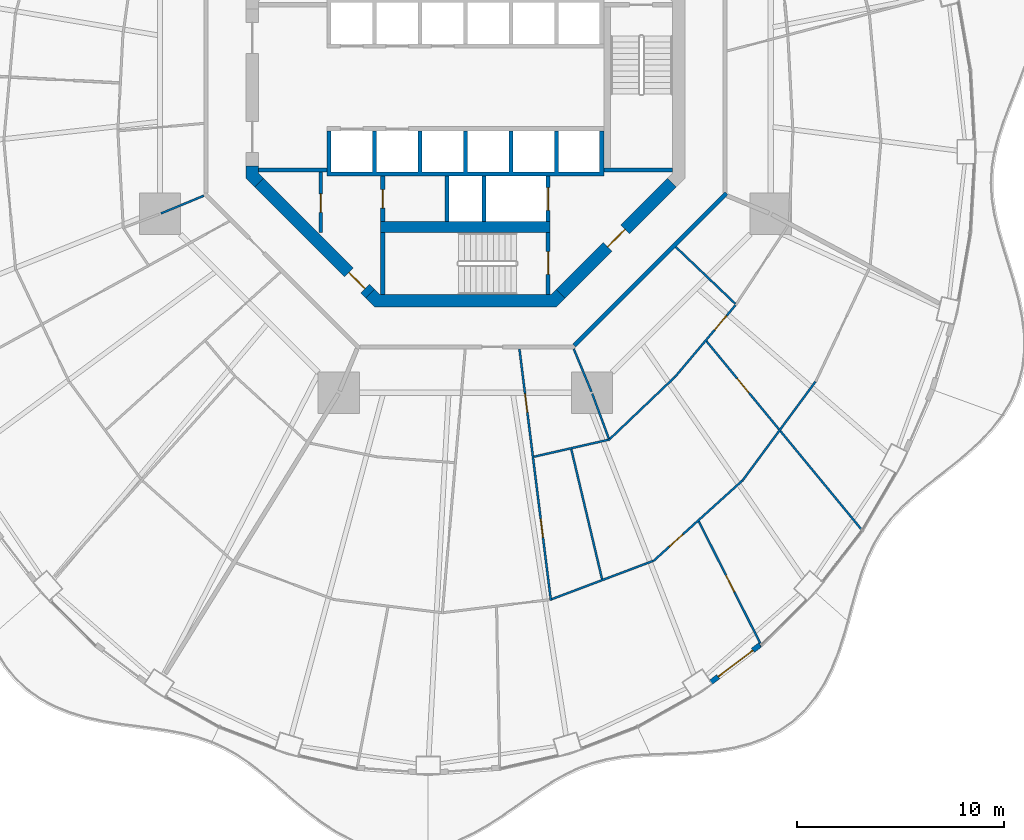
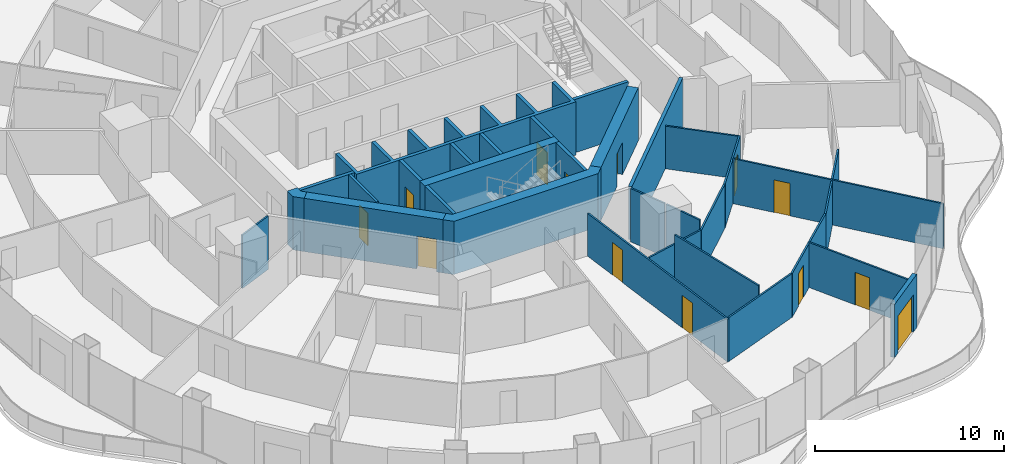
# One storey, part 14 of 21: 31 walls, 13 doors, 13 openings.
"""IFC4 building model written with IfcOpenShell, lengths in metres."""

from ifc_helpers import new_model, si_unit, direction, frame, frame_2d, origin, place, context, subcontext, project, spatial, polyline, rectangle, outline, extrude, material, layer, layer_set, type_object, element, fill, save


model = new_model("IFC4")

# Units and contexts
model_context = context("Model", 3, precision=1e-05, world=origin(), true_north=direction((0.0, 1.0)))
body_context = subcontext(model_context, "Body", "Model", "MODEL_VIEW")
ifc_project = project(units=[si_unit("LENGTHUNIT", "METRE"), si_unit("AREAUNIT", "SQUARE_METRE"), si_unit("VOLUMEUNIT", "CUBIC_METRE"), si_unit("PLANEANGLEUNIT", "RADIAN"), si_unit("MASSUNIT", "GRAM", prefix="KILO")], contexts=[model_context])

# Site, building, storey
site_placement = place(None, origin())
site = spatial("IfcSite", under=ifc_project, at=site_placement, CompositionType="ELEMENT")
building_placement = place(site_placement, origin())
building = spatial("IfcBuilding", under=site, at=building_placement, Name="Nagisa Residences", CompositionType="ELEMENT")
storey_placement = place(building_placement, frame((0.0, 0.0, 138.10009765625)))
storey = spatial("IfcBuildingStorey", under=building, at=storey_placement, Name="L34", CompositionType="ELEMENT", Elevation=138.10009765625)

# Walls
ifc_material_1 = material(Name="Gypsum board on steel studs", Category="steel")
ifc_layer_1 = layer(ifc_material_1, 0.199951171875)
ifc_layer_set_1 = layer_set([ifc_layer_1], Name="Apartment entry wall EI60 200")
wall_type_1 = type_object("IfcWallType", Name="Apartment entry wall EI60 200", PredefinedType="PARTITIONING", material=ifc_layer_set_1)
wall_1_placement = place(storey_placement, frame((5.275146484375, -12.494140625, 0.0), z_axis=(0.0, 0.0, 1.0), x_axis=(0.707106781187, 0.707106781187, 0.0)))
element("IfcWall", 1, at=wall_1_placement, inside=storey, type_object=wall_type_1, Name="wall:L34:u15", PredefinedType="PARTITIONING", context=body_context, shape_type="SweptSolid", body=[
    extrude(rectangle(XDim=10.4091796875, YDim=0.199951171875, at=frame_2d((5.20458984375, 0.0))), origin(), (0.0, 0.0, 1.0), 3.43994140625),
])
ifc_material_2 = material(Name="Gypsum board on steel studs", Category="steel")
ifc_layer_2 = layer(ifc_material_2, 0.10009765625)
ifc_layer_set_2 = layer_set([ifc_layer_2], Name="Apartment partition 100")
wall_type_2 = type_object("IfcWallType", Name="Apartment partition 100", PredefinedType="PARTITIONING", material=ifc_layer_set_2)
wall_2_placement = place(storey_placement, frame((-12.6572265625, -5.24267578125, 0.0), z_axis=(0.0, 0.0, 1.0), x_axis=(-0.923864733477, -0.382719158442, 0.0)))
element("IfcWall", 2, at=wall_2_placement, inside=storey, type_object=wall_type_2, Name="wall:L34:u58", PredefinedType="PARTITIONING", context=body_context, shape_type="SweptSolid", body=[
    extrude(rectangle(XDim=2.25, YDim=0.10009765625, at=frame_2d((1.125, 0.0))), origin(), (0.0, 0.0, 1.0), 3.43994140625),
])

# Wall, openings, doors
wall_3_placement = place(storey_placement, frame((2.61474609375, -12.6640625, 0.0), z_axis=(0.0, 0.0, 1.0), x_axis=(0.124051875784, -0.992275733914, 0.0)))
wall_3 = element("IfcWall", 3, at=wall_3_placement, inside=storey, type_object=wall_type_2, Name="wall:L34:u77", PredefinedType="PARTITIONING", context=body_context, shape_type="SweptSolid", body=[
    extrude(rectangle(XDim=12.270751953125, YDim=0.10009765625, at=frame_2d((6.13525390625, 0.0))), origin(), (0.0, 0.0, 1.0), 2.755859375),
])
opening_1_placement = place(wall_3_placement, frame((2.182861328125, 0.0, 0.0)))
opening_1 = element("IfcOpeningElement", 4, at=opening_1_placement, cuts=wall_3, Name="Opening L34-U16", PredefinedType="OPENING", context=body_context, shape_type="SweptSolid", body=[
    extrude(rectangle(XDim=0.89990234375, YDim=2.10009765625, at=frame_2d((0.449951171875, 1.050048828125))), frame((0.0, 0.06005859375, 0.0), z_axis=(0.0, -1.0, 0.0), x_axis=(1.0, 0.0, 0.0)), (0.0, 0.0, 1.0), 0.1201171875),
])
opening_2_placement = place(wall_3_placement, frame((8.293212890625, 0.0, 0.0)))
opening_2 = element("IfcOpeningElement", 5, at=opening_2_placement, cuts=wall_3, Name="Opening L34-U18", PredefinedType="OPENING", context=body_context, shape_type="SweptSolid", body=[
    extrude(rectangle(XDim=0.89990234375, YDim=2.10009765625, at=frame_2d((0.449951171875, 1.050048828125))), frame((0.0, 0.06005859375, 0.0), z_axis=(0.0, -1.0, 0.0), x_axis=(1.0, 0.0, 0.0)), (0.0, 0.0, 1.0), 0.1201171875),
])
ifc_material_3 = material(Name="Timber door set", Category="wood")
door_type_1 = type_object("IfcDoorType", Name="Apartment door 900x2100", OperationType="NOTDEFINED", PredefinedType="DOOR", material=ifc_material_3)
door_1_placement = place(opening_1_placement, origin())
door_1 = element("IfcDoor", 6, at=door_1_placement, inside=storey, type_object=door_type_1, Name="Door to family bathroom, Apartment 34B", OperationType="SINGLE_SWING_RIGHT", OverallHeight=2.10009765625, OverallWidth=0.89990234375, PredefinedType="DOOR", context=body_context, shape_type="SweptSolid", body=[
    extrude(rectangle(XDim=0.89990234375, YDim=2.10009765625, at=frame_2d((0.449951171875, 1.050048828125))), frame((0.0, 0.02490234375, 0.0), z_axis=(0.0, -1.0, 0.0), x_axis=(1.0, 0.0, 0.0)), (0.0, 0.0, 1.0), 0.050048828125),
])
fill(opening_1, door_1)
door_2_placement = place(opening_2_placement, origin())
door_2 = element("IfcDoor", 7, at=door_2_placement, inside=storey, type_object=door_type_1, Name="Door to family bathroom, Apartment 34B", OperationType="SINGLE_SWING_RIGHT", OverallHeight=2.10009765625, OverallWidth=0.89990234375, PredefinedType="DOOR", context=body_context, shape_type="SweptSolid", body=[
    extrude(rectangle(XDim=0.89990234375, YDim=2.10009765625, at=frame_2d((0.449951171875, 1.050048828125))), frame((0.0, 0.02490234375, 0.0), z_axis=(0.0, -1.0, 0.0), x_axis=(1.0, 0.0, 0.0)), (0.0, 0.0, 1.0), 0.050048828125),
])
fill(opening_2, door_2)

# Walls
wall_4_placement = place(storey_placement, frame((3.316650390625, -17.8779296875, 0.0), z_axis=(0.0, 0.0, 1.0), x_axis=(0.975099660451, 0.221767112505, 0.0)))
element("IfcWall", 8, at=wall_4_placement, inside=storey, type_object=wall_type_2, Name="wall:L34:u78", PredefinedType="PARTITIONING", context=body_context, shape_type="SweptSolid", body=[
    extrude(rectangle(XDim=3.685791015625, YDim=0.10009765625, at=frame_2d((1.8427734375, 0.0))), origin(), (0.0, 0.0, 1.0), 2.827880859375),
])
wall_5_placement = place(storey_placement, frame((4.177734375, -24.77294921875, 0.0), z_axis=(0.0, 0.0, 1.0), x_axis=(0.935585145124, 0.353101169955, 0.0)))
element("IfcWall", 9, at=wall_5_placement, inside=storey, type_object=wall_type_2, Name="wall:L34:u79", PredefinedType="PARTITIONING", context=body_context, shape_type="SweptSolid", body=[
    extrude(rectangle(XDim=5.2333984375, YDim=0.10009765625, at=frame_2d((2.61669921875, 0.0))), origin(), (0.0, 0.0, 1.0), 2.827880859375),
])
wall_6_placement = place(storey_placement, frame((5.125244140625, -17.517822265625, 0.0), z_axis=(0.0, 0.0, 1.0), x_axis=(0.230621848401, -0.973043453829, 0.0)))
element("IfcWall", 10, at=wall_6_placement, inside=storey, type_object=wall_type_2, Name="wall:L34:u80", PredefinedType="PARTITIONING", context=body_context, shape_type="SweptSolid", body=[
    extrude(rectangle(XDim=6.45654296875, YDim=0.10009765625, at=frame_2d((3.228271484375, 0.0))), origin(), (0.0, 0.0, 1.0), 3.43994140625),
])
wall_7_placement = place(storey_placement, frame((5.24267578125, -12.6572265625, 0.0), z_axis=(0.0, 0.0, 1.0), x_axis=(0.382703272338, -0.923871314276, 0.0)))
element("IfcWall", 11, at=wall_7_placement, inside=storey, type_object=wall_type_2, Name="wall:L34:u81", PredefinedType="PARTITIONING", context=body_context, shape_type="SweptSolid", body=[
    extrude(rectangle(XDim=2.249267578125, YDim=0.10009765625, at=frame_2d((1.12451171875, 0.0))), origin(), (0.0, 0.0, 1.0), 3.43994140625),
])
wall_8_placement = place(storey_placement, frame((6.14013671875, -14.8291015625, 0.0), z_axis=(0.0, 0.0, 1.0), x_axis=(0.346198576881, -0.938161257655, 0.0)))
element("IfcWall", 12, at=wall_8_placement, inside=storey, type_object=wall_type_2, Name="wall:L34:u82", PredefinedType="PARTITIONING", context=body_context, shape_type="SweptSolid", body=[
    extrude(rectangle(XDim=2.316650390625, YDim=0.10009765625, at=frame_2d((1.158203125, 0.0))), origin(), (0.0, 0.0, 1.0), 3.43994140625),
])
wall_9_placement = place(storey_placement, frame((6.92333984375, -17.083984375, 0.0), z_axis=(0.0, 0.0, 1.0), x_axis=(0.723719008606, 0.690094773623, 0.0)))
element("IfcWall", 13, at=wall_9_placement, inside=storey, type_object=wall_type_2, Name="wall:L34:u83", PredefinedType="PARTITIONING", context=body_context, shape_type="SweptSolid", body=[
    extrude(rectangle(XDim=4.436279296875, YDim=0.10009765625, at=frame_2d((2.21826171875, 0.0))), origin(), (0.0, 0.0, 1.0), 2.827880859375),
])

# Wall, opening, door
wall_10_placement = place(storey_placement, frame((9.083740234375, -22.94091796875, 0.0), z_axis=(0.0, 0.0, 1.0), x_axis=(0.741684187175, 0.670749257543, 0.0)))
wall_10 = element("IfcWall", 14, at=wall_10_placement, inside=storey, type_object=wall_type_2, Name="wall:L34:u84", PredefinedType="PARTITIONING", context=body_context, shape_type="SweptSolid", body=[
    extrude(rectangle(XDim=5.80615234375, YDim=0.10009765625, at=frame_2d((2.903076171875, 0.0))), origin(), (0.0, 0.0, 1.0), 2.827880859375),
])
opening_3_placement = place(wall_10_placement, frame((1.051513671875, 0.0, 0.0)))
opening_3 = element("IfcOpeningElement", 15, at=opening_3_placement, cuts=wall_10, Name="Opening L34-U23", PredefinedType="OPENING", context=body_context, shape_type="SweptSolid", body=[
    extrude(rectangle(XDim=0.89990234375, YDim=2.10009765625, at=frame_2d((0.449951171875, 1.050048828125))), frame((0.0, 0.06005859375, 0.0), z_axis=(0.0, -1.0, 0.0), x_axis=(1.0, 0.0, 0.0)), (0.0, 0.0, 1.0), 0.1201171875),
])
door_3_placement = place(opening_3_placement, origin())
door_3 = element("IfcDoor", 16, at=door_3_placement, inside=storey, type_object=door_type_1, Name="Door to family room, Apartment 34B", OperationType="SINGLE_SWING_LEFT", OverallHeight=2.10009765625, OverallWidth=0.89990234375, PredefinedType="DOOR", context=body_context, shape_type="SweptSolid", body=[
    extrude(rectangle(XDim=0.89990234375, YDim=2.10009765625, at=frame_2d((0.449951171875, 1.050048828125))), frame((0.0, 0.02490234375, 0.0), z_axis=(0.0, -1.0, 0.0), x_axis=(1.0, 0.0, 0.0)), (0.0, 0.0, 1.0), 0.050048828125),
])
fill(opening_3, door_3)

wall_11_placement = place(storey_placement, frame((11.29638671875, -21.0048828125, 0.0), z_axis=(0.0, 0.0, 1.0), x_axis=(0.44991509116, -0.893071335755, 0.0)))
wall_11 = element("IfcWall", 17, at=wall_11_placement, inside=storey, type_object=wall_type_2, Name="wall:L34:u85", PredefinedType="PARTITIONING", context=body_context, shape_type="SweptSolid", body=[
    extrude(rectangle(XDim=6.754638671875, YDim=0.10009765625, at=frame_2d((3.37744140625, 0.0))), origin(), (0.0, 0.0, 1.0), 2.90478515625),
])
opening_4_placement = place(wall_11_placement, frame((2.927490234375, 0.0, 0.0)))
opening_4 = element("IfcOpeningElement", 18, at=opening_4_placement, cuts=wall_11, Name="Opening L34-U22", PredefinedType="OPENING", context=body_context, shape_type="SweptSolid", body=[
    extrude(rectangle(XDim=0.89990234375, YDim=2.10009765625, at=frame_2d((0.449951171875, 1.050048828125))), frame((0.0, 0.06005859375, 0.0), z_axis=(0.0, -1.0, 0.0), x_axis=(1.0, 0.0, 0.0)), (0.0, 0.0, 1.0), 0.1201171875),
])
door_4_placement = place(opening_4_placement, origin())
door_4 = element("IfcDoor", 19, at=door_4_placement, inside=storey, type_object=door_type_1, Name="Door to master bedroom, Apartment 34B", OperationType="SINGLE_SWING_RIGHT", OverallHeight=2.10009765625, OverallWidth=0.89990234375, PredefinedType="DOOR", context=body_context, shape_type="SweptSolid", body=[
    extrude(rectangle(XDim=0.89990234375, YDim=2.10009765625, at=frame_2d((0.449951171875, 1.050048828125))), frame((0.0, 0.02490234375, 0.0), z_axis=(0.0, -1.0, 0.0), x_axis=(1.0, 0.0, 0.0)), (0.0, 0.0, 1.0), 0.050048828125),
])
fill(opening_4, door_4)

wall_12_placement = place(storey_placement, frame((10.13818359375, -14.026123046875, 0.0), z_axis=(0.0, 0.0, 1.0), x_axis=(0.644051444483, 0.764982180746, 0.0)))
wall_12 = element("IfcWall", 20, at=wall_12_placement, inside=storey, type_object=wall_type_2, Name="wall:L34:u86", PredefinedType="PARTITIONING", context=body_context, shape_type="SweptSolid", body=[
    extrude(rectangle(XDim=4.54833984375, YDim=0.10009765625, at=frame_2d((2.274169921875, 0.0))), origin(), (0.0, 0.0, 1.0), 2.827880859375),
])
opening_5_placement = place(wall_12_placement, frame((2.986328125, 0.0, 0.0)))
opening_5 = element("IfcOpeningElement", 21, at=opening_5_placement, cuts=wall_12, Name="Opening L34-U26", PredefinedType="OPENING", context=body_context, shape_type="SweptSolid", body=[
    extrude(rectangle(XDim=0.89990234375, YDim=2.10009765625, at=frame_2d((0.449951171875, 1.050048828125))), frame((0.0, 0.06005859375, 0.0), z_axis=(0.0, -1.0, 0.0), x_axis=(1.0, 0.0, 0.0)), (0.0, 0.0, 1.0), 0.1201171875),
])
door_5_placement = place(opening_5_placement, origin())
door_5 = element("IfcDoor", 22, at=door_5_placement, inside=storey, type_object=door_type_1, Name="Door to store, Apartment 34B", OperationType="SINGLE_SWING_RIGHT", OverallHeight=2.10009765625, OverallWidth=0.89990234375, PredefinedType="DOOR", context=body_context, shape_type="SweptSolid", body=[
    extrude(rectangle(XDim=0.89990234375, YDim=2.10009765625, at=frame_2d((0.449951171875, 1.050048828125))), frame((0.0, 0.02490234375, 0.0), z_axis=(0.0, -1.0, 0.0), x_axis=(1.0, 0.0, 0.0)), (0.0, 0.0, 1.0), 0.050048828125),
])
fill(opening_5, door_5)

# Wall
wall_13_placement = place(storey_placement, frame((13.3974609375, -19.05322265625, 0.0), z_axis=(0.0, 0.0, 1.0), x_axis=(0.593522299069, 0.804817544856, 0.0)))
element("IfcWall", 23, at=wall_13_placement, inside=storey, type_object=wall_type_2, Name="wall:L34:u87", PredefinedType="PARTITIONING", context=body_context, shape_type="SweptSolid", body=[
    extrude(rectangle(XDim=5.97607421875, YDim=0.10009765625, at=frame_2d((2.988037109375, 0.0))), origin(), (0.0, 0.0, 1.0), 2.827880859375),
])

# Wall, opening, door
wall_14_placement = place(storey_placement, frame((11.666748046875, -12.28662109375, 0.0), z_axis=(0.0, 0.0, 1.0), x_axis=(0.635618027424, -0.772003706736, 0.0)))
wall_14 = element("IfcWall", 24, at=wall_14_placement, inside=storey, type_object=wall_type_2, Name="wall:L34:u88", PredefinedType="PARTITIONING", context=body_context, shape_type="SweptSolid", body=[
    extrude(rectangle(XDim=11.893310546875, YDim=0.10009765625, at=frame_2d((5.94677734375, 0.0))), origin(), (0.0, 0.0, 1.0), 2.90478515625),
])
opening_6_placement = place(wall_14_placement, frame((2.341064453125, 0.0, 0.0)))
opening_6 = element("IfcOpeningElement", 25, at=opening_6_placement, cuts=wall_14, Name="Opening L34-U24", PredefinedType="OPENING", context=body_context, shape_type="SweptSolid", body=[
    extrude(rectangle(XDim=0.89990234375, YDim=2.10009765625, at=frame_2d((0.449951171875, 1.050048828125))), frame((0.0, 0.06005859375, 0.0), z_axis=(0.0, -1.0, 0.0), x_axis=(1.0, 0.0, 0.0)), (0.0, 0.0, 1.0), 0.1201171875),
])
door_6_placement = place(opening_6_placement, origin())
door_6 = element("IfcDoor", 26, at=door_6_placement, inside=storey, type_object=door_type_1, Name="Door to kitchen, Apartment 34B", OperationType="SINGLE_SWING_RIGHT", OverallHeight=2.10009765625, OverallWidth=0.89990234375, PredefinedType="DOOR", context=body_context, shape_type="SweptSolid", body=[
    extrude(rectangle(XDim=0.89990234375, YDim=2.10009765625, at=frame_2d((0.449951171875, 1.050048828125))), frame((0.0, 0.02490234375, 0.0), z_axis=(0.0, -1.0, 0.0), x_axis=(1.0, 0.0, 0.0)), (0.0, 0.0, 1.0), 0.050048828125),
])
fill(opening_6, door_6)

# Wall
wall_15_placement = place(storey_placement, frame((10.18359375, -7.72705078125, 0.0), z_axis=(0.0, 0.0, 1.0), x_axis=(0.723654892782, -0.690162007179, 0.0)))
element("IfcWall", 27, at=wall_15_placement, inside=storey, type_object=wall_type_2, Name="wall:L34:u89", PredefinedType="PARTITIONING", context=body_context, shape_type="SweptSolid", body=[
    extrude(rectangle(XDim=3.97998046875, YDim=0.10009765625, at=frame_2d((1.989990234375, 0.0))), origin(), (0.0, 0.0, 1.0), 2.755859375),
])

# Wall, opening, door
ifc_material_4 = material(Name="Precast concrete C40/50", Category="concrete")
ifc_layer_3 = layer(ifc_material_4, 0.25)
ifc_layer_set_3 = layer_set([ifc_layer_3], Name="BALCONY DOOR WALL 250")
wall_type_3 = type_object("IfcWallType", Name="BALCONY DOOR WALL 250", PredefinedType="SOLIDWALL", material=ifc_layer_set_3)
wall_16_placement = place(storey_placement, frame((14.27783203125, -26.973388671875, 0.0), z_axis=(0.0, 0.0, 1.0), x_axis=(-0.796022231079, -0.605267385233, 0.0)))
wall_16 = element("IfcWall", 28, at=wall_16_placement, inside=storey, type_object=wall_type_3, Name="wall:L34:bay40", PredefinedType="SOLIDWALL", context=body_context, shape_type="SweptSolid", body=[
    extrude(rectangle(XDim=3.025634765625, YDim=0.25, at=frame_2d((1.5126953125, 0.0))), origin(), (0.0, 0.0, 1.0), 3.43994140625),
])
opening_7_placement = place(wall_16_placement, frame((0.462646484375, 0.0, 0.0)))
opening_7 = element("IfcOpeningElement", 29, at=opening_7_placement, cuts=wall_16, Name="Opening BD-L34-14", PredefinedType="OPENING", context=body_context, shape_type="SweptSolid", body=[
    extrude(rectangle(XDim=2.10009765625, YDim=2.39990234375, at=frame_2d((1.050048828125, 1.199951171875))), frame((0.0, 0.135009765625, 0.0), z_axis=(0.0, -1.0, 0.0), x_axis=(1.0, 0.0, 0.0)), (0.0, 0.0, 1.0), 0.27001953125),
])
ifc_material_5 = material(Name="Aluminium and clear glass", Category="aluminium")
door_type_2 = type_object("IfcDoorType", Name="BALCONY SLIDING DOOR 2100x2400", OperationType="SLIDING_TO_LEFT", PredefinedType="DOOR", material=ifc_material_5)
door_7_placement = place(opening_7_placement, origin())
door_7 = element("IfcDoor", 30, at=door_7_placement, inside=storey, type_object=door_type_2, Name="door:L34:bay40", OperationType="SLIDING_TO_LEFT", OverallHeight=2.39990234375, OverallWidth=2.10009765625, PredefinedType="DOOR", context=body_context, shape_type="SweptSolid", body=[
    extrude(rectangle(XDim=2.10009765625, YDim=2.39990234375, at=frame_2d((1.050048828125, 1.199951171875))), frame((0.0, 0.02490234375, 0.0), z_axis=(0.0, -1.0, 0.0), x_axis=(1.0, 0.0, 0.0)), (0.0, 0.0, 1.0), 0.050048828125),
])
fill(opening_7, door_7)

ifc_material_6 = material(Name="Gypsum board on steel studs", Category="steel")
ifc_layer_4 = layer(ifc_material_6, 0.14990234375)
ifc_layer_set_4 = layer_set([ifc_layer_4], Name="Core partition 150")
wall_type_4 = type_object("IfcWallType", Name="Core partition 150", PredefinedType="PARTITIONING", material=ifc_layer_set_4)
wall_17_placement = place(storey_placement, frame((-7.0, -7.02685546875, 0.0), z_axis=(0.0, 0.0, 1.0), x_axis=(0.0, 1.0, 0.0)))
wall_17 = element("IfcWall", 31, at=wall_17_placement, inside=storey, type_object=wall_type_4, Name="wall:L34:SWp", PredefinedType="PARTITIONING", context=body_context, shape_type="SweptSolid", body=[
    extrude(rectangle(XDim=2.9267578125, YDim=0.14990234375, at=frame_2d((1.46337890625, 0.0))), origin(), (0.0, 0.0, 1.0), 3.43994140625),
])
opening_8_placement = place(wall_17_placement, frame((0.97607421875, 0.0, 0.0)))
opening_8 = element("IfcOpeningElement", 32, at=opening_8_placement, cuts=wall_17, Name="Opening L34-C14", PredefinedType="OPENING", context=body_context, shape_type="SweptSolid", body=[
    extrude(rectangle(XDim=0.89990234375, YDim=2.10009765625, at=frame_2d((0.449951171875, 1.050048828125))), frame((0.0, 0.0849609375, 0.0), z_axis=(0.0, -1.0, 0.0), x_axis=(1.0, 0.0, 0.0)), (0.0, 0.0, 1.0), 0.169921875),
])
ifc_material_7 = material(Name="Steel fire door", Category="steel")
door_type_3 = type_object("IfcDoorType", Name="Fire door EI30 900x2100 single swing", OperationType="NOTDEFINED", PredefinedType="DOOR", material=ifc_material_7)
door_8_placement = place(opening_8_placement, origin())
door_8 = element("IfcDoor", 33, at=door_8_placement, inside=storey, type_object=door_type_3, Name="Cleaner store door L34", OperationType="SINGLE_SWING_LEFT", OverallHeight=2.10009765625, OverallWidth=0.89990234375, PredefinedType="DOOR", context=body_context, shape_type="SweptSolid", body=[
    extrude(rectangle(XDim=0.89990234375, YDim=2.10009765625, at=frame_2d((0.449951171875, 1.050048828125))), frame((0.0, 0.02490234375, 0.0), z_axis=(0.0, -1.0, 0.0), x_axis=(1.0, 0.0, 0.0)), (0.0, 0.0, 1.0), 0.050048828125),
])
fill(opening_8, door_8)

# Wall
ifc_material_8 = material(Name="Gypsum board on steel studs", Category="steel")
ifc_layer_5 = layer(ifc_material_8, 0.199951171875)
ifc_layer_set_5 = layer_set([ifc_layer_5], Name="Core partition 200")
wall_type_5 = type_object("IfcWallType", Name="Core partition 200", PredefinedType="PARTITIONING", material=ifc_layer_set_5)
wall_18_placement = place(storey_placement, frame((-10.024658203125, -4.0, 0.0), z_axis=(0.0, 0.0, 1.0), x_axis=(1.0, 0.0, 0.0)))
element("IfcWall", 34, at=wall_18_placement, inside=storey, type_object=wall_type_5, Name="wall:L34:PSW", PredefinedType="PARTITIONING", context=body_context, shape_type="SweptSolid", body=[
    extrude(rectangle(XDim=3.32470703125, YDim=0.199951171875, at=frame_2d((1.662353515625, 0.0))), origin(), (0.0, 0.0, 1.0), 3.43994140625),
])

# Wall, opening, door
ifc_material_9 = material(Name="Concrete C60", Category="concrete")
ifc_layer_6 = layer(ifc_material_9, 0.60009765625)
ifc_layer_set_6 = layer_set([ifc_layer_6], Name="Core shear wall 600")
wall_type_6 = type_object("IfcWallType", Name="Core shear wall 600", PredefinedType="SHEAR", material=ifc_layer_set_6)
wall_19_placement = place(storey_placement, frame((-9.98828125, -4.613037109375, 0.0), z_axis=(0.0, 0.0, 1.0), x_axis=(0.707106781187, -0.707106781187, 0.0)))
wall_19 = element("IfcWall", 35, at=wall_19_placement, inside=storey, type_object=wall_type_6, Name="wall:L34:core:flat5", PredefinedType="SHEAR", context=body_context, shape_type="SweptSolid", body=[
    extrude(rectangle(XDim=7.601806640625, YDim=0.60009765625, at=frame_2d((3.80078125, 0.0))), origin(), (0.0, 0.0, 1.0), 3.43994140625),
])
opening_9_placement = place(wall_19_placement, frame((6.15087890625, 0.0, 0.0)))
opening_9 = element("IfcOpeningElement", 36, at=opening_9_placement, cuts=wall_19, Name="Opening L34-C21", PredefinedType="OPENING", context=body_context, shape_type="SweptSolid", body=[
    extrude(rectangle(XDim=1.10009765625, YDim=2.10009765625, at=frame_2d((0.550048828125, 1.050048828125))), frame((0.0, 0.31005859375, 0.0), z_axis=(0.0, -1.0, 0.0), x_axis=(1.0, 0.0, 0.0)), (0.0, 0.0, 1.0), 0.6201171875),
])
ifc_material_10 = material(Name="Steel fire door", Category="steel")
door_type_4 = type_object("IfcDoorType", Name="Fire door EI60 1100x2100 single swing", OperationType="NOTDEFINED", PredefinedType="DOOR", material=ifc_material_10)
door_9_placement = place(opening_9_placement, origin())
door_9 = element("IfcDoor", 37, at=door_9_placement, inside=storey, type_object=door_type_4, Name="Housekeeping lobby door L34", OperationType="SINGLE_SWING_RIGHT", OverallHeight=2.10009765625, OverallWidth=1.10009765625, PredefinedType="DOOR", context=body_context, shape_type="SweptSolid", body=[
    extrude(rectangle(XDim=1.10009765625, YDim=2.10009765625, at=frame_2d((0.550048828125, 1.050048828125))), frame((0.0, 0.02490234375, 0.0), z_axis=(0.0, -1.0, 0.0), x_axis=(1.0, 0.0, 0.0)), (0.0, 0.0, 1.0), 0.050048828125),
])
fill(opening_9, door_9)

wall_20_placement = place(storey_placement, frame((4.613037109375, -9.98828125, 0.0), z_axis=(0.0, 0.0, 1.0), x_axis=(0.707106781187, 0.707106781187, 0.0)))
wall_20 = element("IfcWall", 38, at=wall_20_placement, inside=storey, type_object=wall_type_6, Name="wall:L34:core:flat7", PredefinedType="SHEAR", context=body_context, shape_type="SweptSolid", body=[
    extrude(rectangle(XDim=7.601806640625, YDim=0.60009765625, at=frame_2d((3.80078125, 0.0))), origin(), (0.0, 0.0, 1.0), 3.43994140625),
])
opening_10_placement = place(wall_20_placement, frame((3.200927734375, 0.0, 0.0)))
opening_10 = element("IfcOpeningElement", 39, at=opening_10_placement, cuts=wall_20, Name="Opening L34-C17", PredefinedType="OPENING", context=body_context, shape_type="SweptSolid", body=[
    extrude(rectangle(XDim=1.199951171875, YDim=2.10009765625, at=frame_2d((0.60009765625, 1.050048828125))), frame((0.0, 0.31005859375, 0.0), z_axis=(0.0, -1.0, 0.0), x_axis=(1.0, 0.0, 0.0)), (0.0, 0.0, 1.0), 0.6201171875),
])
ifc_material_11 = material(Name="Steel fire door", Category="steel")
door_type_5 = type_object("IfcDoorType", Name="Fire door EI60 1200x2100 single swing", OperationType="NOTDEFINED", PredefinedType="DOOR", material=ifc_material_11)
door_10_placement = place(opening_10_placement, origin())
door_10 = element("IfcDoor", 40, at=door_10_placement, inside=storey, type_object=door_type_5, Name="Firefighting lobby 2 door L34", OperationType="SINGLE_SWING_RIGHT", OverallHeight=2.10009765625, OverallWidth=1.199951171875, PredefinedType="DOOR", context=body_context, shape_type="SweptSolid", body=[
    extrude(rectangle(XDim=1.199951171875, YDim=2.10009765625, at=frame_2d((0.60009765625, 1.050048828125))), frame((0.0, 0.02490234375, 0.0), z_axis=(0.0, -1.0, 0.0), x_axis=(1.0, 0.0, 0.0)), (0.0, 0.0, 1.0), 0.050048828125),
])
fill(opening_10, door_10)

# Walls
wall_21_placement = place(storey_placement, origin())
element("IfcWall", 41, at=wall_21_placement, inside=storey, type_object=wall_type_6, Name="wall:L34:core:pier4", PredefinedType="SHEAR", context=body_context, shape_type="SweptSolid", body=[
    extrude(outline(polyline([(-10.62451171875, -3.80078125), (-10.024658203125, -3.80078125), (-10.024658203125, -4.15234375), (-9.776123046875, -4.40087890625), (-10.200439453125, -4.8251953125), (-10.62451171875, -4.40087890625), (-10.62451171875, -3.80078125)])), origin(), (0.0, 0.0, 1.0), 3.43994140625),
])
wall_22_placement = place(storey_placement, origin())
element("IfcWall", 42, at=wall_22_placement, inside=storey, type_object=wall_type_6, Name="wall:L34:core:flat6", PredefinedType="SHEAR", context=body_context, shape_type="SweptSolid", body=[
    extrude(outline(polyline([(-4.15234375, -10.024658203125), (4.15234375, -10.024658203125), (4.40087890625, -9.776123046875), (4.8251953125, -10.200439453125), (4.40087890625, -10.62451171875), (-4.40087890625, -10.62451171875), (-4.8251953125, -10.200439453125), (-4.40087890625, -9.776123046875), (-4.15234375, -10.024658203125)])), origin(), (0.0, 0.0, 1.0), 3.43994140625),
])

# Wall, opening, door
ifc_material_12 = material(Name="Concrete C60", Category="concrete")
ifc_layer_7 = layer(ifc_material_12, 0.199951171875)
ifc_layer_set_7 = layer_set([ifc_layer_7], Name="Lift shaft wall 200")
wall_type_7 = type_object("IfcWallType", Name="Lift shaft wall 200", PredefinedType="SOLIDWALL", material=ifc_layer_set_7)
wall_23_placement = place(storey_placement, frame((4.0, -6.5, 0.0), z_axis=(0.0, 0.0, 1.0), x_axis=(0.0, 1.0, 0.0)))
wall_23 = element("IfcWall", 43, at=wall_23_placement, inside=storey, type_object=wall_type_7, Name="wall:L34:Sb3", PredefinedType="SOLIDWALL", context=body_context, shape_type="SweptSolid", body=[
    extrude(rectangle(XDim=2.199951171875, YDim=0.199951171875, at=frame_2d((1.10009765625, 0.0))), origin(), (0.0, 0.0, 1.0), 3.43994140625),
])
opening_11_placement = place(wall_23_placement, frame((0.550048828125, 0.0, 0.0)))
opening_11 = element("IfcOpeningElement", 44, at=opening_11_placement, cuts=wall_23, Name="Opening L34-C07", PredefinedType="OPENING", context=body_context, shape_type="SweptSolid", body=[
    extrude(rectangle(XDim=1.10009765625, YDim=2.10009765625, at=frame_2d((0.550048828125, 1.050048828125))), frame((0.0, 0.10986328125, 0.0), z_axis=(0.0, -1.0, 0.0), x_axis=(1.0, 0.0, 0.0)), (0.0, 0.0, 1.0), 0.219970703125),
])
ifc_material_13 = material(Name="Stainless steel", Category="steel")
door_type_6 = type_object("IfcDoorType", Name="Lift landing door 1100x2100", OperationType="DOUBLE_DOOR_SLIDING", PredefinedType="DOOR", material=ifc_material_13)
door_11_placement = place(opening_11_placement, origin())
door_11 = element("IfcDoor", 45, at=door_11_placement, inside=storey, type_object=door_type_6, Name="Landing door FL2 L34", OperationType="DOUBLE_DOOR_SLIDING", OverallHeight=2.10009765625, OverallWidth=1.10009765625, PredefinedType="DOOR", context=body_context, shape_type="SweptSolid", body=[
    extrude(rectangle(XDim=1.10009765625, YDim=2.10009765625, at=frame_2d((0.550048828125, 1.050048828125))), frame((0.0, 0.02490234375, 0.0), z_axis=(0.0, -1.0, 0.0), x_axis=(1.0, 0.0, 0.0)), (0.0, 0.0, 1.0), 0.050048828125),
])
fill(opening_11, door_11)

wall_24_placement = place(storey_placement, frame((-4.0, -6.5, 0.0), z_axis=(0.0, 0.0, 1.0), x_axis=(0.0, 1.0, 0.0)))
wall_24 = element("IfcWall", 46, at=wall_24_placement, inside=storey, type_object=wall_type_7, Name="wall:L34:Sb4", PredefinedType="SOLIDWALL", context=body_context, shape_type="SweptSolid", body=[
    extrude(rectangle(XDim=2.199951171875, YDim=0.199951171875, at=frame_2d((1.10009765625, 0.0))), origin(), (0.0, 0.0, 1.0), 3.43994140625),
])
opening_12_placement = place(wall_24_placement, frame((0.64990234375, 0.0, 0.0)))
opening_12 = element("IfcOpeningElement", 47, at=opening_12_placement, cuts=wall_24, Name="Opening L34-C15", PredefinedType="OPENING", context=body_context, shape_type="SweptSolid", body=[
    extrude(rectangle(XDim=0.89990234375, YDim=2.10009765625, at=frame_2d((0.449951171875, 1.050048828125))), frame((0.0, 0.10986328125, 0.0), z_axis=(0.0, -1.0, 0.0), x_axis=(1.0, 0.0, 0.0)), (0.0, 0.0, 1.0), 0.219970703125),
])
door_12_placement = place(opening_12_placement, frame((0.89990234375, 0.0, 0.0), x_axis=(-1.0, 0.0, 0.0)))
door_12 = element("IfcDoor", 48, at=door_12_placement, inside=storey, type_object=door_type_3, Name="Refuse room door L34", OperationType="SINGLE_SWING_LEFT", OverallHeight=2.10009765625, OverallWidth=0.89990234375, PredefinedType="DOOR", context=body_context, shape_type="SweptSolid", body=[
    extrude(rectangle(XDim=0.89990234375, YDim=2.10009765625, at=frame_2d((0.449951171875, 1.050048828125))), frame((0.0, 0.02490234375, 0.0), z_axis=(0.0, -1.0, 0.0), x_axis=(1.0, 0.0, 0.0)), (0.0, 0.0, 1.0), 0.050048828125),
])
fill(opening_12, door_12)

# Walls
for number, where, z_axis, x_axis, name in (
    (49, (-0.89990234375, -6.5, 0.0), (0.0, 0.0, 1.0), (0.0, 1.0, 0.0), "wall:L34:Sb1"),
    (50, (0.89990234375, -6.5, 0.0), (0.0, 0.0, 1.0), (0.0, 1.0, 0.0), "wall:L34:Sb2"),
):
    element("IfcWall", number, at=place(storey_placement, frame(where, z_axis=z_axis, x_axis=x_axis)), inside=storey, type_object=wall_type_7, Name=name, PredefinedType="SOLIDWALL", context=body_context, shape_type="SweptSolid", body=[
        extrude(rectangle(XDim=2.199951171875, YDim=0.199951171875, at=frame_2d((1.10009765625, 0.0))), origin(), (0.0, 0.0, 1.0), 3.43994140625),
    ])
wall_25_placement = place(storey_placement, origin())
element("IfcWall", 51, at=wall_25_placement, inside=storey, type_object=wall_type_7, Name="wall:L34:Sback", PredefinedType="SOLIDWALL", context=body_context, shape_type="SweptSolid", body=[
    extrude(outline(polyline([(-6.699951171875, -2.10009765625), (-6.5, -2.10009765625), (-6.5, -4.10009765625), (-4.5, -4.10009765625), (-4.5, -2.10009765625), (-4.300048828125, -2.10009765625), (-4.300048828125, -4.10009765625), (-2.300048828125, -4.10009765625), (-2.300048828125, -2.10009765625), (-2.10009765625, -2.10009765625), (-2.10009765625, -4.10009765625), (-0.10009765625, -4.10009765625), (-0.10009765625, -2.10009765625), (0.10009765625, -2.10009765625), (0.10009765625, -4.10009765625), (2.10009765625, -4.10009765625), (2.10009765625, -2.10009765625), (2.300048828125, -2.10009765625), (2.300048828125, -4.10009765625), (4.300048828125, -4.10009765625), (4.300048828125, -2.10009765625), (4.5, -2.10009765625), (4.5, -4.10009765625), (6.5, -4.10009765625), (6.5, -2.10009765625), (6.699951171875, -2.10009765625), (6.699951171875, -4.300048828125), (-6.699951171875, -4.300048828125), (-6.699951171875, -2.10009765625)])), origin(), (0.0, 0.0, 1.0), 3.43994140625),
])

# Wall, opening, door
ifc_material_14 = material(Name="Concrete C60", Category="concrete")
ifc_layer_8 = layer(ifc_material_14, 0.199951171875)
ifc_layer_set_8 = layer_set([ifc_layer_8], Name="Stair enclosure wall 200")
wall_type_8 = type_object("IfcWallType", Name="Stair enclosure wall 200", PredefinedType="SOLIDWALL", material=ifc_layer_set_8)
wall_26_placement = place(storey_placement, frame((4.0, -10.024658203125, 0.0), z_axis=(0.0, 0.0, 1.0), x_axis=(0.0, 1.0, 0.0)))
wall_26 = element("IfcWall", 52, at=wall_26_placement, inside=storey, type_object=wall_type_8, Name="wall:L34:SS_e", PredefinedType="SOLIDWALL", context=body_context, shape_type="SweptSolid", body=[
    extrude(rectangle(XDim=3.0, YDim=0.199951171875, at=frame_2d((1.5, 0.0))), origin(), (0.0, 0.0, 1.0), 3.43994140625),
])
opening_13_placement = place(wall_26_placement, frame((0.974609375, 0.0, 0.0)))
opening_13 = element("IfcOpeningElement", 53, at=opening_13_placement, cuts=wall_26, Name="Opening L34-C11", PredefinedType="OPENING", context=body_context, shape_type="SweptSolid", body=[
    extrude(rectangle(XDim=1.10009765625, YDim=2.10009765625, at=frame_2d((0.550048828125, 1.050048828125))), frame((0.0, 0.10986328125, 0.0), z_axis=(0.0, -1.0, 0.0), x_axis=(1.0, 0.0, 0.0)), (0.0, 0.0, 1.0), 0.219970703125),
])
ifc_material_15 = material(Name="Steel fire door", Category="steel")
door_type_7 = type_object("IfcDoorType", Name="Fire door EI90 1100x2100 single swing", OperationType="NOTDEFINED", PredefinedType="DOOR", material=ifc_material_15)
door_13_placement = place(opening_13_placement, origin())
door_13 = element("IfcDoor", 54, at=door_13_placement, inside=storey, type_object=door_type_7, Name="Stair door ST-S L34", OperationType="SINGLE_SWING_LEFT", OverallHeight=2.10009765625, OverallWidth=1.10009765625, PredefinedType="DOOR", context=body_context, shape_type="SweptSolid", body=[
    extrude(rectangle(XDim=1.10009765625, YDim=2.10009765625, at=frame_2d((0.550048828125, 1.050048828125))), frame((0.0, 0.02490234375, 0.0), z_axis=(0.0, -1.0, 0.0), x_axis=(1.0, 0.0, 0.0)), (0.0, 0.0, 1.0), 0.050048828125),
])
fill(opening_13, door_13)

# Walls
wall_27_placement = place(storey_placement, origin())
element("IfcWall", 55, at=wall_27_placement, inside=storey, type_object=wall_type_8, Name="wall:L34:SS_w", PredefinedType="SOLIDWALL", context=body_context, shape_type="SweptSolid", body=[
    extrude(outline(polyline([(-3.89990234375, -10.024658203125), (-4.10009765625, -10.024658203125), (-4.10009765625, -7.024658203125), (-3.89990234375, -7.024658203125), (-3.89990234375, -10.024658203125)])), origin(), (0.0, 0.0, 1.0), 3.43994140625),
])
wall_28_placement = place(storey_placement, origin())
element("IfcWall", 56, at=wall_28_placement, inside=storey, type_object=wall_type_8, Name="wall:L34:SS_n", PredefinedType="SOLIDWALL", context=body_context, shape_type="SweptSolid", body=[
    extrude(outline(polyline([(4.10009765625, -7.024658203125), (-4.10009765625, -7.024658203125), (-4.10009765625, -6.5), (4.10009765625, -6.5), (4.10009765625, -7.024658203125)])), origin(), (0.0, 0.0, 1.0), 3.43994140625),
])
wall_29_placement = place(storey_placement, origin())
element("IfcWall", 57, at=wall_29_placement, inside=storey, type_object=wall_type_8, Name="wall:L34:SE_s", PredefinedType="SOLIDWALL", context=body_context, shape_type="SweptSolid", body=[
    extrude(outline(polyline([(10.024658203125, -4.10009765625), (6.699951171875, -4.10009765625), (6.699951171875, -3.89990234375), (10.024658203125, -3.89990234375), (10.024658203125, -4.10009765625)])), origin(), (0.0, 0.0, 1.0), 3.43994140625),
])

save(model, "model.ifc")
